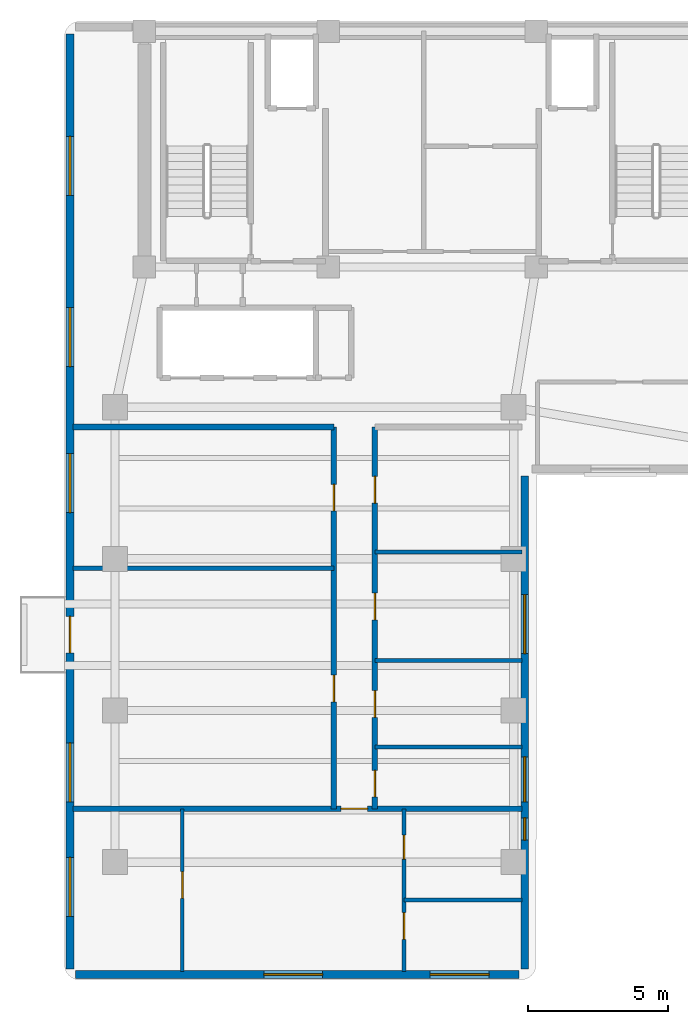
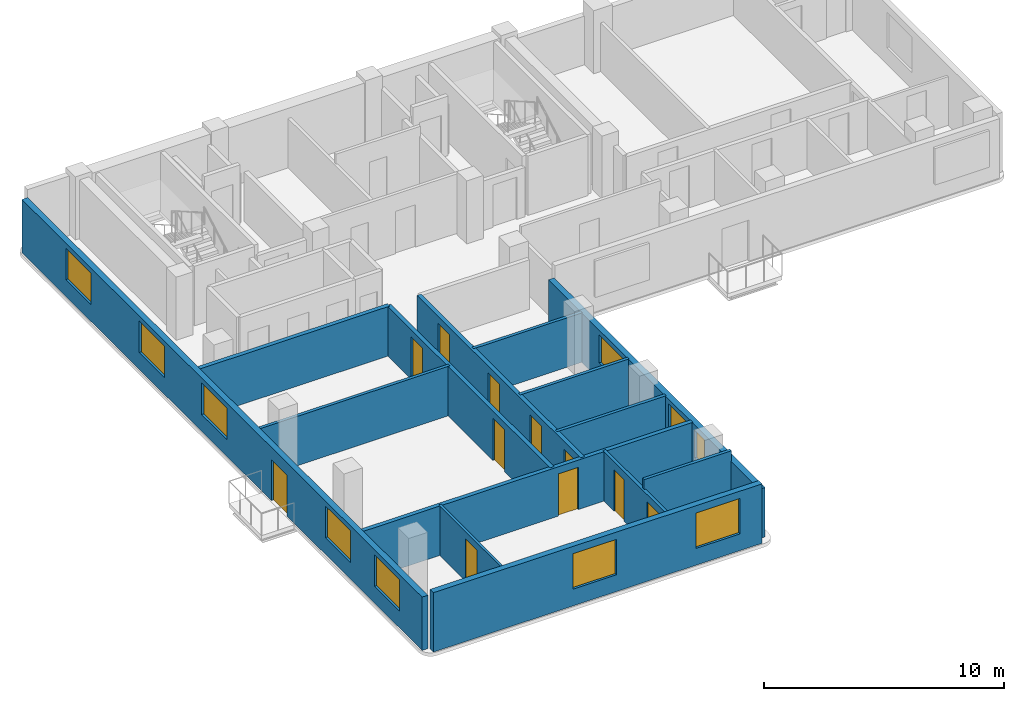
# One storey, part 2 of 7: 14 walls, 11 doors, 10 windows, 21 openings.
"""IFC4 building model written with IfcOpenShell, lengths in metres."""

from ifc_helpers import new_model, si_unit, direction, frame, frame_2d, origin, place, context, subcontext, project, spatial, rectangle, extrude, material, layer, layer_set, type_object, element, fill, save


model = new_model("IFC4")

# Units and contexts
model_context = context("Model", 3, precision=1e-05, world=origin(), true_north=direction((0.0, 1.0)))
body_context = subcontext(model_context, "Body", "Model", "MODEL_VIEW")
ifc_project = project(units=[si_unit("LENGTHUNIT", "METRE"), si_unit("AREAUNIT", "SQUARE_METRE"), si_unit("VOLUMEUNIT", "CUBIC_METRE"), si_unit("PLANEANGLEUNIT", "RADIAN"), si_unit("MASSUNIT", "GRAM", prefix="KILO")], contexts=[model_context])

# Site, building, storey
site_placement = place(None, origin())
site = spatial("IfcSite", under=ifc_project, at=site_placement, CompositionType="ELEMENT")
building_placement = place(site_placement, origin())
building = spatial("IfcBuilding", under=site, at=building_placement, Name="Kuzgunbayir Cultural Tower", CompositionType="ELEMENT")
storey_placement = place(building_placement, frame((0.0, 0.0, 201.60009765625)))
storey = spatial("IfcBuildingStorey", under=building, at=storey_placement, Name="L59", CompositionType="ELEMENT", Elevation=201.60009765625)

# Wall, openings, windows
ifc_material_1 = material(Name="Anatolian Cream Limestone", Category="masonry")
ifc_layer_1 = layer(ifc_material_1, 0.280029296875)
ifc_layer_set_1 = layer_set([ifc_layer_1], Name="Anatolian Cream Limestone")
wall_type_1 = type_object("IfcWallType", Name="WAL-EXT-STONE-280", PredefinedType="STANDARD", material=ifc_layer_set_1)
wall_1_placement = place(storey_placement, frame((4.0, 8.60009765625, 0.0), z_axis=(0.0, 0.0, 1.0), x_axis=(1.0, 0.0, 0.0)))
wall_1 = element("IfcWall", 1, at=wall_1_placement, inside=storey, type_object=wall_type_1, Name="L59 Wing A South Limestone Wall", PredefinedType="STANDARD", context=body_context, shape_type="SweptSolid", body=[
    extrude(rectangle(XDim=15.800048828125, YDim=0.280029296875, at=frame_2d((7.89990234375, 0.0))), origin(), (0.0, 0.0, 1.0), 3.02001953125),
])
opening_1_placement = place(wall_1_placement, frame((6.699951171875, 0.0, 0.85009765625)))
opening_1 = element("IfcOpeningElement", 2, at=opening_1_placement, cuts=wall_1, Name="Opening WR-21", PredefinedType="OPENING", context=body_context, shape_type="SweptSolid", body=[
    extrude(rectangle(XDim=2.10009765625, YDim=1.800048828125, at=frame_2d((1.050048828125, 0.89990234375))), frame((0.0, 0.14990234375, 0.0), z_axis=(0.0, -1.0, 0.0), x_axis=(1.0, 0.0, 0.0)), (0.0, 0.0, 1.0), 0.300048828125),
])
opening_2_placement = place(wall_1_placement, frame((12.6298828125, 0.0, 0.85009765625)))
opening_2 = element("IfcOpeningElement", 3, at=opening_2_placement, cuts=wall_1, Name="Opening WR-21", PredefinedType="OPENING", context=body_context, shape_type="SweptSolid", body=[
    extrude(rectangle(XDim=2.10009765625, YDim=1.800048828125, at=frame_2d((1.050048828125, 0.89990234375))), frame((0.0, 0.14990234375, 0.0), z_axis=(0.0, -1.0, 0.0), x_axis=(1.0, 0.0, 0.0)), (0.0, 0.0, 1.0), 0.300048828125),
])
ifc_material_2 = material(Name="Solar-Control Triple Glazing", Category="glass")
window_type_1 = type_object("IfcWindowType", Name="WIN-RESID-21", PartitioningType="SINGLE_PANEL", PredefinedType="WINDOW", material=ifc_material_2)
window_1_placement = place(opening_1_placement, origin())
window_1 = element("IfcWindow", 4, at=window_1_placement, inside=storey, type_object=window_type_1, Name="L59 WAS Facade Window 2", OverallHeight=1.800048828125, OverallWidth=2.10009765625, PartitioningType="SINGLE_PANEL", PredefinedType="WINDOW", context=body_context, shape_type="SweptSolid", body=[
    extrude(rectangle(XDim=2.10009765625, YDim=1.800048828125, at=frame_2d((1.050048828125, 0.89990234375))), frame((0.0, 0.030029296875, 0.0), z_axis=(0.0, -1.0, 0.0), x_axis=(1.0, 0.0, 0.0)), (0.0, 0.0, 1.0), 0.06005859375),
])
fill(opening_1, window_1)
window_2_placement = place(opening_2_placement, origin())
window_2 = element("IfcWindow", 5, at=window_2_placement, inside=storey, type_object=window_type_1, Name="L59 WAS Facade Window 3", OverallHeight=1.800048828125, OverallWidth=2.10009765625, PartitioningType="SINGLE_PANEL", PredefinedType="WINDOW", context=body_context, shape_type="SweptSolid", body=[
    extrude(rectangle(XDim=2.10009765625, YDim=1.800048828125, at=frame_2d((1.050048828125, 0.89990234375))), frame((0.0, 0.030029296875, 0.0), z_axis=(0.0, -1.0, 0.0), x_axis=(1.0, 0.0, 0.0)), (0.0, 0.0, 1.0), 0.06005859375),
])
fill(opening_2, window_2)

# Wall, openings, door, windows
wall_2_placement = place(storey_placement, frame((3.800048828125, 42.10009765625, 0.0), z_axis=(0.0, 0.0, 1.0), x_axis=(0.0, -1.0, 0.0)))
wall_2 = element("IfcWall", 6, at=wall_2_placement, inside=storey, type_object=wall_type_1, Name="L59 Wing A West Limestone Wall", PredefinedType="STANDARD", context=body_context, shape_type="SweptSolid", body=[
    extrude(rectangle(XDim=33.300048828125, YDim=0.280029296875, at=frame_2d((16.64990234375, 0.0))), origin(), (0.0, 0.0, 1.0), 2.7099609375),
])
opening_3_placement = place(wall_2_placement, frame((20.75, 0.0, 0.0)))
opening_3 = element("IfcOpeningElement", 7, at=opening_3_placement, cuts=wall_2, Name="Opening BD-13", PredefinedType="OPENING", context=body_context, shape_type="SweptSolid", body=[
    extrude(rectangle(XDim=1.300048828125, YDim=2.080078125, at=frame_2d((0.64990234375, 1.0400390625))), frame((0.0, 0.14990234375, 0.0), z_axis=(0.0, -1.0, 0.0), x_axis=(1.0, 0.0, 0.0)), (0.0, 0.0, 1.0), 0.300048828125),
])
opening_4_placement = place(wall_2_placement, frame((29.330078125, 0.0, 0.85009765625)))
opening_4 = element("IfcOpeningElement", 8, at=opening_4_placement, cuts=wall_2, Name="Opening WR-21", PredefinedType="OPENING", context=body_context, shape_type="SweptSolid", body=[
    extrude(rectangle(XDim=2.10009765625, YDim=1.610107421875, at=frame_2d((1.050048828125, 0.80517578125))), frame((0.0, 0.14990234375, 0.0), z_axis=(0.0, -1.0, 0.0), x_axis=(1.0, 0.0, 0.0)), (0.0, 0.0, 1.0), 0.300048828125),
])
opening_5_placement = place(wall_2_placement, frame((25.25, 0.0, 0.85009765625)))
opening_5 = element("IfcOpeningElement", 9, at=opening_5_placement, cuts=wall_2, Name="Opening WR-21", PredefinedType="OPENING", context=body_context, shape_type="SweptSolid", body=[
    extrude(rectangle(XDim=2.10009765625, YDim=1.610107421875, at=frame_2d((1.050048828125, 0.80517578125))), frame((0.0, 0.14990234375, 0.0), z_axis=(0.0, -1.0, 0.0), x_axis=(1.0, 0.0, 0.0)), (0.0, 0.0, 1.0), 0.300048828125),
])
opening_6_placement = place(wall_2_placement, frame((14.949951171875, 0.0, 0.85009765625)))
opening_6 = element("IfcOpeningElement", 10, at=opening_6_placement, cuts=wall_2, Name="Opening WR-21", PredefinedType="OPENING", context=body_context, shape_type="SweptSolid", body=[
    extrude(rectangle(XDim=2.10009765625, YDim=1.610107421875, at=frame_2d((1.050048828125, 0.80517578125))), frame((0.0, 0.14990234375, 0.0), z_axis=(0.0, -1.0, 0.0), x_axis=(1.0, 0.0, 0.0)), (0.0, 0.0, 1.0), 0.300048828125),
])
opening_7_placement = place(wall_2_placement, frame((9.75, 0.0, 0.85009765625)))
opening_7 = element("IfcOpeningElement", 11, at=opening_7_placement, cuts=wall_2, Name="Opening WR-21", PredefinedType="OPENING", context=body_context, shape_type="SweptSolid", body=[
    extrude(rectangle(XDim=2.10009765625, YDim=1.610107421875, at=frame_2d((1.050048828125, 0.80517578125))), frame((0.0, 0.14990234375, 0.0), z_axis=(0.0, -1.0, 0.0), x_axis=(1.0, 0.0, 0.0)), (0.0, 0.0, 1.0), 0.300048828125),
])
opening_8_placement = place(wall_2_placement, frame((3.64990234375, 0.0, 0.85009765625)))
opening_8 = element("IfcOpeningElement", 12, at=opening_8_placement, cuts=wall_2, Name="Opening WR-21", PredefinedType="OPENING", context=body_context, shape_type="SweptSolid", body=[
    extrude(rectangle(XDim=2.10009765625, YDim=1.610107421875, at=frame_2d((1.050048828125, 0.80517578125))), frame((0.0, 0.14990234375, 0.0), z_axis=(0.0, -1.0, 0.0), x_axis=(1.0, 0.0, 0.0)), (0.0, 0.0, 1.0), 0.300048828125),
])
ifc_material_3 = material(Name="Thermally Broken Glazed Aluminium", Category="aluminium")
door_type_1 = type_object("IfcDoorType", Name="DR-BALCONY-135", OperationType="SLIDING_TO_LEFT", PredefinedType="DOOR", material=ifc_material_3)
door_1_placement = place(opening_3_placement, origin())
door_1 = element("IfcDoor", 13, at=door_1_placement, inside=storey, type_object=door_type_1, Name="L59 West Balcony Sliding Door BAL-L59-WA2", OperationType="SLIDING_TO_LEFT", OverallHeight=2.080078125, OverallWidth=1.300048828125, PredefinedType="DOOR", context=body_context, shape_type="SweptSolid", body=[
    extrude(rectangle(XDim=1.300048828125, YDim=2.080078125, at=frame_2d((0.64990234375, 1.0400390625))), frame((0.0, 0.02490234375, 0.0), z_axis=(0.0, -1.0, 0.0), x_axis=(1.0, 0.0, 0.0)), (0.0, 0.0, 1.0), 0.050048828125),
])
fill(opening_3, door_1)
window_3_placement = place(opening_4_placement, origin())
window_3 = element("IfcWindow", 14, at=window_3_placement, inside=storey, type_object=window_type_1, Name="L59 WAW Facade Window 1", OverallHeight=1.610107421875, OverallWidth=2.10009765625, PartitioningType="SINGLE_PANEL", PredefinedType="WINDOW", context=body_context, shape_type="SweptSolid", body=[
    extrude(rectangle(XDim=2.10009765625, YDim=1.610107421875, at=frame_2d((1.050048828125, 0.80517578125))), frame((0.0, 0.030029296875, 0.0), z_axis=(0.0, -1.0, 0.0), x_axis=(1.0, 0.0, 0.0)), (0.0, 0.0, 1.0), 0.06005859375),
])
fill(opening_4, window_3)
window_4_placement = place(opening_5_placement, origin())
window_4 = element("IfcWindow", 15, at=window_4_placement, inside=storey, type_object=window_type_1, Name="L59 WAW Facade Window 9", OverallHeight=1.610107421875, OverallWidth=2.10009765625, PartitioningType="SINGLE_PANEL", PredefinedType="WINDOW", context=body_context, shape_type="SweptSolid", body=[
    extrude(rectangle(XDim=2.10009765625, YDim=1.610107421875, at=frame_2d((1.050048828125, 0.80517578125))), frame((0.0, 0.030029296875, 0.0), z_axis=(0.0, -1.0, 0.0), x_axis=(1.0, 0.0, 0.0)), (0.0, 0.0, 1.0), 0.06005859375),
])
fill(opening_5, window_4)
window_5_placement = place(opening_6_placement, origin())
window_5 = element("IfcWindow", 16, at=window_5_placement, inside=storey, type_object=window_type_1, Name="L59 WAW Facade Window 10", OverallHeight=1.610107421875, OverallWidth=2.10009765625, PartitioningType="SINGLE_PANEL", PredefinedType="WINDOW", context=body_context, shape_type="SweptSolid", body=[
    extrude(rectangle(XDim=2.10009765625, YDim=1.610107421875, at=frame_2d((1.050048828125, 0.80517578125))), frame((0.0, 0.030029296875, 0.0), z_axis=(0.0, -1.0, 0.0), x_axis=(1.0, 0.0, 0.0)), (0.0, 0.0, 1.0), 0.06005859375),
])
fill(opening_6, window_5)
window_6_placement = place(opening_7_placement, origin())
window_6 = element("IfcWindow", 17, at=window_6_placement, inside=storey, type_object=window_type_1, Name="L59 WAW Facade Window 11", OverallHeight=1.610107421875, OverallWidth=2.10009765625, PartitioningType="SINGLE_PANEL", PredefinedType="WINDOW", context=body_context, shape_type="SweptSolid", body=[
    extrude(rectangle(XDim=2.10009765625, YDim=1.610107421875, at=frame_2d((1.050048828125, 0.80517578125))), frame((0.0, 0.030029296875, 0.0), z_axis=(0.0, -1.0, 0.0), x_axis=(1.0, 0.0, 0.0)), (0.0, 0.0, 1.0), 0.06005859375),
])
fill(opening_7, window_6)
window_7_placement = place(opening_8_placement, origin())
window_7 = element("IfcWindow", 18, at=window_7_placement, inside=storey, type_object=window_type_1, Name="L59 WAW Facade Window 12", OverallHeight=1.610107421875, OverallWidth=2.10009765625, PartitioningType="SINGLE_PANEL", PredefinedType="WINDOW", context=body_context, shape_type="SweptSolid", body=[
    extrude(rectangle(XDim=2.10009765625, YDim=1.610107421875, at=frame_2d((1.050048828125, 0.80517578125))), frame((0.0, 0.030029296875, 0.0), z_axis=(0.0, -1.0, 0.0), x_axis=(1.0, 0.0, 0.0)), (0.0, 0.0, 1.0), 0.06005859375),
])
fill(opening_8, window_7)

# Wall, openings, windows
wall_3_placement = place(storey_placement, frame((20.0, 8.800048828125, 0.0), z_axis=(0.0, 0.0, 1.0), x_axis=(0.0, 1.0, 0.0)))
wall_3 = element("IfcWall", 19, at=wall_3_placement, inside=storey, type_object=wall_type_1, Name="L59 Wing A East Limestone Wall", PredefinedType="STANDARD", context=body_context, shape_type="SweptSolid", body=[
    extrude(rectangle(XDim=17.550048828125, YDim=0.280029296875, at=frame_2d((8.77490234375, 0.0))), origin(), (0.0, 0.0, 1.0), 2.510009765625),
])
opening_9_placement = place(wall_3_placement, frame((4.580078125, 0.0, 0.85009765625)))
opening_9 = element("IfcOpeningElement", 20, at=opening_9_placement, cuts=wall_3, Name="Opening WN-08", PredefinedType="OPENING", context=body_context, shape_type="SweptSolid", body=[
    extrude(rectangle(XDim=0.800048828125, YDim=1.409912109375, at=frame_2d((0.39990234375, 0.705078125))), frame((0.0, 0.14990234375, 0.0), z_axis=(0.0, -1.0, 0.0), x_axis=(1.0, 0.0, 0.0)), (0.0, 0.0, 1.0), 0.300048828125),
])
opening_10_placement = place(wall_3_placement, frame((5.949951171875, 0.0, 0.85009765625)))
opening_10 = element("IfcOpeningElement", 21, at=opening_10_placement, cuts=wall_3, Name="Opening WC-16", PredefinedType="OPENING", context=body_context, shape_type="SweptSolid", body=[
    extrude(rectangle(XDim=1.60009765625, YDim=1.409912109375, at=frame_2d((0.800048828125, 0.705078125))), frame((0.0, 0.14990234375, 0.0), z_axis=(0.0, -1.0, 0.0), x_axis=(1.0, 0.0, 0.0)), (0.0, 0.0, 1.0), 0.300048828125),
])
opening_11_placement = place(wall_3_placement, frame((11.22998046875, 0.0, 0.85009765625)))
opening_11 = element("IfcOpeningElement", 22, at=opening_11_placement, cuts=wall_3, Name="Opening WR-21", PredefinedType="OPENING", context=body_context, shape_type="SweptSolid", body=[
    extrude(rectangle(XDim=2.10009765625, YDim=1.409912109375, at=frame_2d((1.050048828125, 0.705078125))), frame((0.0, 0.14990234375, 0.0), z_axis=(0.0, -1.0, 0.0), x_axis=(1.0, 0.0, 0.0)), (0.0, 0.0, 1.0), 0.300048828125),
])
window_type_2 = type_object("IfcWindowType", Name="WIN-COMP-16", PartitioningType="SINGLE_PANEL", PredefinedType="WINDOW", material=ifc_material_2)
window_8_placement = place(opening_10_placement, origin())
window_8 = element("IfcWindow", 23, at=window_8_placement, inside=storey, type_object=window_type_2, Name="L59 WAE Facade Window 13", OverallHeight=1.409912109375, OverallWidth=1.60009765625, PartitioningType="SINGLE_PANEL", PredefinedType="WINDOW", context=body_context, shape_type="SweptSolid", body=[
    extrude(rectangle(XDim=1.60009765625, YDim=1.409912109375, at=frame_2d((0.800048828125, 0.705078125))), frame((0.0, 0.030029296875, 0.0), z_axis=(0.0, -1.0, 0.0), x_axis=(1.0, 0.0, 0.0)), (0.0, 0.0, 1.0), 0.06005859375),
])
fill(opening_10, window_8)
window_type_3 = type_object("IfcWindowType", Name="WIN-NARROW-80", PartitioningType="SINGLE_PANEL", PredefinedType="WINDOW", material=ifc_material_2)
window_9_placement = place(opening_9_placement, origin())
window_9 = element("IfcWindow", 24, at=window_9_placement, inside=storey, type_object=window_type_3, Name="L59 WAE Facade Window 4", OverallHeight=1.409912109375, OverallWidth=0.800048828125, PartitioningType="SINGLE_PANEL", PredefinedType="WINDOW", context=body_context, shape_type="SweptSolid", body=[
    extrude(rectangle(XDim=0.800048828125, YDim=1.409912109375, at=frame_2d((0.39990234375, 0.705078125))), frame((0.0, 0.030029296875, 0.0), z_axis=(0.0, -1.0, 0.0), x_axis=(1.0, 0.0, 0.0)), (0.0, 0.0, 1.0), 0.06005859375),
])
fill(opening_9, window_9)
window_10_placement = place(opening_11_placement, origin())
window_10 = element("IfcWindow", 25, at=window_10_placement, inside=storey, type_object=window_type_1, Name="L59 WAE Facade Window 14", OverallHeight=1.409912109375, OverallWidth=2.10009765625, PartitioningType="SINGLE_PANEL", PredefinedType="WINDOW", context=body_context, shape_type="SweptSolid", body=[
    extrude(rectangle(XDim=2.10009765625, YDim=1.409912109375, at=frame_2d((1.050048828125, 0.705078125))), frame((0.0, 0.030029296875, 0.0), z_axis=(0.0, -1.0, 0.0), x_axis=(1.0, 0.0, 0.0)), (0.0, 0.0, 1.0), 0.06005859375),
])
fill(opening_11, window_10)

# Walls
ifc_material_4 = material(Name="Acoustic Double-Stud Drywall", Category="gypsum")
ifc_layer_2 = layer(ifc_material_4, 0.14990234375)
ifc_layer_set_2 = layer_set([ifc_layer_2], Name="Acoustic Double-Stud Drywall")
wall_type_2 = type_object("IfcWallType", Name="WAL-PART-ACOUSTIC-150", PredefinedType="PARTITIONING", material=ifc_layer_set_2)
wall_4_placement = place(storey_placement, frame((3.89990234375, 23.070068359375, 0.0), z_axis=(0.0, 0.0, 1.0), x_axis=(1.0, 0.0, 0.0)))
element("IfcWall", 26, at=wall_4_placement, inside=storey, type_object=wall_type_2, Name="L59 West Study Partition 1", PredefinedType="PARTITIONING", context=body_context, shape_type="SweptSolid", body=[
    extrude(rectangle(XDim=9.300048828125, YDim=0.14990234375, at=frame_2d((4.64990234375, 0.0))), origin(), (0.0, 0.0, 1.0), 2.510009765625),
])
for number, where, z_axis, x_axis, name in (
    (27, (14.659912109375, 19.780029296875, 0.0), (0.0, 0.0, 1.0), (1.0, 0.0, 0.0), "L59 East Divider 1"),
    (28, (14.659912109375, 23.64990234375, 0.0), (0.0, 0.0, 1.0), (1.0, 0.0, 0.0), "L59 East Divider 2"),
):
    element("IfcWall", number, at=place(storey_placement, frame(where, z_axis=z_axis, x_axis=x_axis)), inside=storey, type_object=wall_type_2, Name=name, PredefinedType="PARTITIONING", context=body_context, shape_type="SweptSolid", body=[
        extrude(rectangle(XDim=5.239990234375, YDim=0.14990234375, at=frame_2d((2.6201171875, 0.0))), origin(), (0.0, 0.0, 1.0), 2.510009765625),
    ])

# Wall, openings, doors
ifc_material_5 = material(Name="Aerated Concrete Blockwork", Category="masonry")
ifc_layer_3 = layer(ifc_material_5, 0.199951171875)
ifc_layer_set_3 = layer_set([ifc_layer_3], Name="Aerated Concrete Blockwork")
wall_type_3 = type_object("IfcWallType", Name="WAL-PART-FIRE-200", PredefinedType="PARTITIONING", material=ifc_layer_set_3)
wall_5_placement = place(storey_placement, frame((13.199951171875, 14.5, 0.0), z_axis=(0.0, 0.0, 1.0), x_axis=(0.0, 1.0, 0.0)))
wall_5 = element("IfcWall", 29, at=wall_5_placement, inside=storey, type_object=wall_type_3, Name="L59 Wing A West Corridor Wall", PredefinedType="PARTITIONING", context=body_context, shape_type="SweptSolid", body=[
    extrude(rectangle(XDim=13.60009765625, YDim=0.199951171875, at=frame_2d((6.800048828125, 0.0))), origin(), (0.0, 0.0, 1.0), 2.510009765625),
])
opening_12_placement = place(wall_5_placement, frame((3.81005859375, 0.0, 0.0)))
opening_12 = element("IfcOpeningElement", 30, at=opening_12_placement, cuts=wall_5, Name="Opening DI-90", PredefinedType="OPENING", context=body_context, shape_type="SweptSolid", body=[
    extrude(rectangle(XDim=0.949951171875, YDim=2.14990234375, at=frame_2d((0.47509765625, 1.074951171875))), frame((0.0, 0.10986328125, 0.0), z_axis=(0.0, -1.0, 0.0), x_axis=(1.0, 0.0, 0.0)), (0.0, 0.0, 1.0), 0.219970703125),
])
opening_13_placement = place(wall_5_placement, frame((10.610107421875, 0.0, 0.0)))
opening_13 = element("IfcOpeningElement", 31, at=opening_13_placement, cuts=wall_5, Name="Opening DI-90", PredefinedType="OPENING", context=body_context, shape_type="SweptSolid", body=[
    extrude(rectangle(XDim=0.949951171875, YDim=2.14990234375, at=frame_2d((0.47509765625, 1.074951171875))), frame((0.0, 0.10986328125, 0.0), z_axis=(0.0, -1.0, 0.0), x_axis=(1.0, 0.0, 0.0)), (0.0, 0.0, 1.0), 0.219970703125),
])
ifc_material_6 = material(Name="Veneered Oak Single Leaf", Category="wood")
door_type_2 = type_object("IfcDoorType", Name="DR-INT-90", OperationType="NOTDEFINED", PredefinedType="DOOR", material=ifc_material_6)
door_2_placement = place(opening_12_placement, origin())
door_2 = element("IfcDoor", 32, at=door_2_placement, inside=storey, type_object=door_type_2, Name="L59 Fellows Reading Lounge W1 Door", OperationType="SINGLE_SWING_LEFT", OverallHeight=2.14990234375, OverallWidth=0.949951171875, PredefinedType="DOOR", context=body_context, shape_type="SweptSolid", body=[
    extrude(rectangle(XDim=0.949951171875, YDim=2.14990234375, at=frame_2d((0.47509765625, 1.074951171875))), frame((0.0, 0.02490234375, 0.0), z_axis=(0.0, -1.0, 0.0), x_axis=(1.0, 0.0, 0.0)), (0.0, 0.0, 1.0), 0.050048828125),
])
fill(opening_12, door_2)
door_3_placement = place(opening_13_placement, origin())
door_3 = element("IfcDoor", 33, at=door_3_placement, inside=storey, type_object=door_type_2, Name="L59 Seminar Boardroom W2 Door", OperationType="SINGLE_SWING_RIGHT", OverallHeight=2.14990234375, OverallWidth=0.949951171875, PredefinedType="DOOR", context=body_context, shape_type="SweptSolid", body=[
    extrude(rectangle(XDim=0.949951171875, YDim=2.14990234375, at=frame_2d((0.47509765625, 1.074951171875))), frame((0.0, 0.02490234375, 0.0), z_axis=(0.0, -1.0, 0.0), x_axis=(1.0, 0.0, 0.0)), (0.0, 0.0, 1.0), 0.050048828125),
])
fill(opening_13, door_3)

wall_6_placement = place(storey_placement, frame((14.659912109375, 14.5, 0.0), z_axis=(0.0, 0.0, 1.0), x_axis=(0.0, 1.0, 0.0)))
wall_6 = element("IfcWall", 34, at=wall_6_placement, inside=storey, type_object=wall_type_3, Name="L59 Wing A East Corridor Wall", PredefinedType="PARTITIONING", context=body_context, shape_type="SweptSolid", body=[
    extrude(rectangle(XDim=13.60009765625, YDim=0.199951171875, at=frame_2d((6.800048828125, 0.0))), origin(), (0.0, 0.0, 1.0), 2.510009765625),
])
opening_14_placement = place(wall_6_placement, frame((0.419921875, 0.0, 0.0)))
opening_14 = element("IfcOpeningElement", 35, at=opening_14_placement, cuts=wall_6, Name="Opening DW-95", PredefinedType="OPENING", context=body_context, shape_type="SweptSolid", body=[
    extrude(rectangle(XDim=0.949951171875, YDim=2.10009765625, at=frame_2d((0.47509765625, 1.050048828125))), frame((0.0, 0.10986328125, 0.0), z_axis=(0.0, -1.0, 0.0), x_axis=(1.0, 0.0, 0.0)), (0.0, 0.0, 1.0), 0.219970703125),
])
opening_15_placement = place(wall_6_placement, frame((3.260009765625, 0.0, 0.0)))
opening_15 = element("IfcOpeningElement", 36, at=opening_15_placement, cuts=wall_6, Name="Opening DI-90", PredefinedType="OPENING", context=body_context, shape_type="SweptSolid", body=[
    extrude(rectangle(XDim=0.949951171875, YDim=2.14990234375, at=frame_2d((0.47509765625, 1.074951171875))), frame((0.0, 0.10986328125, 0.0), z_axis=(0.0, -1.0, 0.0), x_axis=(1.0, 0.0, 0.0)), (0.0, 0.0, 1.0), 0.219970703125),
])
opening_16_placement = place(wall_6_placement, frame((6.72998046875, 0.0, 0.0)))
opening_16 = element("IfcOpeningElement", 37, at=opening_16_placement, cuts=wall_6, Name="Opening DI-90", PredefinedType="OPENING", context=body_context, shape_type="SweptSolid", body=[
    extrude(rectangle(XDim=0.949951171875, YDim=2.14990234375, at=frame_2d((0.47509765625, 1.074951171875))), frame((0.0, 0.10986328125, 0.0), z_axis=(0.0, -1.0, 0.0), x_axis=(1.0, 0.0, 0.0)), (0.0, 0.0, 1.0), 0.219970703125),
])
opening_17_placement = place(wall_6_placement, frame((10.889892578125, 0.0, 0.0)))
opening_17 = element("IfcOpeningElement", 38, at=opening_17_placement, cuts=wall_6, Name="Opening DI-90", PredefinedType="OPENING", context=body_context, shape_type="SweptSolid", body=[
    extrude(rectangle(XDim=0.949951171875, YDim=2.14990234375, at=frame_2d((0.47509765625, 1.074951171875))), frame((0.0, 0.10986328125, 0.0), z_axis=(0.0, -1.0, 0.0), x_axis=(1.0, 0.0, 0.0)), (0.0, 0.0, 1.0), 0.219970703125),
])
door_4_placement = place(opening_15_placement, origin())
door_4 = element("IfcDoor", 39, at=door_4_placement, inside=storey, type_object=door_type_2, Name="L59 East Fellows Reading Lounge E1 Door", OperationType="SINGLE_SWING_RIGHT", OverallHeight=2.14990234375, OverallWidth=0.949951171875, PredefinedType="DOOR", context=body_context, shape_type="SweptSolid", body=[
    extrude(rectangle(XDim=0.949951171875, YDim=2.14990234375, at=frame_2d((0.47509765625, 1.074951171875))), frame((0.0, 0.02490234375, 0.0), z_axis=(0.0, -1.0, 0.0), x_axis=(1.0, 0.0, 0.0)), (0.0, 0.0, 1.0), 0.050048828125),
])
fill(opening_15, door_4)
door_5_placement = place(opening_16_placement, origin())
door_5 = element("IfcDoor", 40, at=door_5_placement, inside=storey, type_object=door_type_2, Name="L59 East Culinary Tasting Pantry E2 Door", OperationType="SINGLE_SWING_LEFT", OverallHeight=2.14990234375, OverallWidth=0.949951171875, PredefinedType="DOOR", context=body_context, shape_type="SweptSolid", body=[
    extrude(rectangle(XDim=0.949951171875, YDim=2.14990234375, at=frame_2d((0.47509765625, 1.074951171875))), frame((0.0, 0.02490234375, 0.0), z_axis=(0.0, -1.0, 0.0), x_axis=(1.0, 0.0, 0.0)), (0.0, 0.0, 1.0), 0.050048828125),
])
fill(opening_16, door_5)
door_6_placement = place(opening_17_placement, origin())
door_6 = element("IfcDoor", 41, at=door_6_placement, inside=storey, type_object=door_type_2, Name="L59 East Fellows Reading Lounge E3 Door", OperationType="SINGLE_SWING_RIGHT", OverallHeight=2.14990234375, OverallWidth=0.949951171875, PredefinedType="DOOR", context=body_context, shape_type="SweptSolid", body=[
    extrude(rectangle(XDim=0.949951171875, YDim=2.14990234375, at=frame_2d((0.47509765625, 1.074951171875))), frame((0.0, 0.02490234375, 0.0), z_axis=(0.0, -1.0, 0.0), x_axis=(1.0, 0.0, 0.0)), (0.0, 0.0, 1.0), 0.050048828125),
])
fill(opening_17, door_6)
ifc_material_7 = material(Name="Laminate Moisture-Resistant Leaf", Category="wood")
door_type_3 = type_object("IfcDoorType", Name="DR-WET-95", OperationType="NOTDEFINED", PredefinedType="DOOR", material=ifc_material_7)
door_7_placement = place(opening_14_placement, origin())
door_7 = element("IfcDoor", 42, at=door_7_placement, inside=storey, type_object=door_type_3, Name="L59 Visitor Accessible WC Door", OperationType="SINGLE_SWING_LEFT", OverallHeight=2.10009765625, OverallWidth=0.949951171875, PredefinedType="DOOR", context=body_context, shape_type="SweptSolid", body=[
    extrude(rectangle(XDim=0.949951171875, YDim=2.10009765625, at=frame_2d((0.47509765625, 1.050048828125))), frame((0.0, 0.02490234375, 0.0), z_axis=(0.0, -1.0, 0.0), x_axis=(1.0, 0.0, 0.0)), (0.0, 0.0, 1.0), 0.050048828125),
])
fill(opening_14, door_7)

# Wall, opening, door
wall_7_placement = place(storey_placement, frame((3.89990234375, 14.5, 0.0), z_axis=(0.0, 0.0, 1.0), x_axis=(1.0, 0.0, 0.0)))
wall_7 = element("IfcWall", 43, at=wall_7_placement, inside=storey, type_object=wall_type_3, Name="L59 South Cross Partition", PredefinedType="PARTITIONING", context=body_context, shape_type="SweptSolid", body=[
    extrude(rectangle(XDim=16.0, YDim=0.199951171875, at=frame_2d((8.0, 0.0))), origin(), (0.0, 0.0, 1.0), 2.510009765625),
])
opening_18_placement = place(wall_7_placement, frame((9.550048828125, 0.0, 0.0)))
opening_18 = element("IfcOpeningElement", 44, at=opening_18_placement, cuts=wall_7, Name="Opening DR-APT-60", PredefinedType="OPENING", context=body_context, shape_type="SweptSolid", body=[
    extrude(rectangle(XDim=0.949951171875, YDim=2.14990234375, at=frame_2d((0.47509765625, 1.074951171875))), frame((0.0, 0.10986328125, 0.0), z_axis=(0.0, -1.0, 0.0), x_axis=(1.0, 0.0, 0.0)), (0.0, 0.0, 1.0), 0.219970703125),
])
ifc_material_8 = material(Name="Acoustic Fire Timber Leaf", Category="wood")
door_type_4 = type_object("IfcDoorType", Name="DR-APT-60", OperationType="NOTDEFINED", PredefinedType="DOOR", material=ifc_material_8)
door_8_placement = place(opening_18_placement, origin())
door_8 = element("IfcDoor", 45, at=door_8_placement, inside=storey, type_object=door_type_4, Name="L59 Apartment A Entrance", OperationType="SINGLE_SWING_LEFT", OverallHeight=2.14990234375, OverallWidth=0.949951171875, PredefinedType="DOOR", context=body_context, shape_type="SweptSolid", body=[
    extrude(rectangle(XDim=0.949951171875, YDim=2.14990234375, at=frame_2d((0.47509765625, 1.074951171875))), frame((0.0, 0.02490234375, 0.0), z_axis=(0.0, -1.0, 0.0), x_axis=(1.0, 0.0, 0.0)), (0.0, 0.0, 1.0), 0.050048828125),
])
fill(opening_18, door_8)

# Wall
wall_8_placement = place(storey_placement, frame((3.89990234375, 28.10009765625, 0.0), z_axis=(0.0, 0.0, 1.0), x_axis=(1.0, 0.0, 0.0)))
element("IfcWall", 46, at=wall_8_placement, inside=storey, type_object=wall_type_3, Name="L59 North West Partition", PredefinedType="PARTITIONING", context=body_context, shape_type="SweptSolid", body=[
    extrude(rectangle(XDim=9.300048828125, YDim=0.199951171875, at=frame_2d((4.64990234375, 0.0))), origin(), (0.0, 0.0, 1.0), 2.510009765625),
])

# Wall, opening, door
ifc_material_9 = material(Name="Framed Gypsum Partition", Category="gypsum")
ifc_layer_4 = layer(ifc_material_9, 0.1201171875)
ifc_layer_set_4 = layer_set([ifc_layer_4], Name="Framed Gypsum Partition")
wall_type_4 = type_object("IfcWallType", Name="WAL-PART-INT-120", PredefinedType="PARTITIONING", material=ifc_layer_set_4)
wall_9_placement = place(storey_placement, frame((7.800048828125, 8.699951171875, 0.0), z_axis=(0.0, 0.0, 1.0), x_axis=(0.0, 1.0, 0.0)))
wall_9 = element("IfcWall", 47, at=wall_9_placement, inside=storey, type_object=wall_type_4, Name="L59 Flat A West Bedroom Wall", PredefinedType="PARTITIONING", context=body_context, shape_type="SweptSolid", body=[
    extrude(rectangle(XDim=5.800048828125, YDim=0.1201171875, at=frame_2d((2.89990234375, 0.0))), origin(), (0.0, 0.0, 1.0), 2.510009765625),
])
opening_19_placement = place(wall_9_placement, frame((2.610107421875, 0.0, 0.0)))
opening_19 = element("IfcOpeningElement", 48, at=opening_19_placement, cuts=wall_9, Name="Opening DI-90", PredefinedType="OPENING", context=body_context, shape_type="SweptSolid", body=[
    extrude(rectangle(XDim=0.949951171875, YDim=2.14990234375, at=frame_2d((0.47509765625, 1.074951171875))), frame((0.0, 0.070068359375, 0.0), z_axis=(0.0, -1.0, 0.0), x_axis=(1.0, 0.0, 0.0)), (0.0, 0.0, 1.0), 0.14013671875),
])
door_9_placement = place(opening_19_placement, origin())
door_9 = element("IfcDoor", 49, at=door_9_placement, inside=storey, type_object=door_type_2, Name="L59 Apartment A Bedroom Door", OperationType="SINGLE_SWING_RIGHT", OverallHeight=2.14990234375, OverallWidth=0.949951171875, PredefinedType="DOOR", context=body_context, shape_type="SweptSolid", body=[
    extrude(rectangle(XDim=0.949951171875, YDim=2.14990234375, at=frame_2d((0.47509765625, 1.074951171875))), frame((0.0, 0.02490234375, 0.0), z_axis=(0.0, -1.0, 0.0), x_axis=(1.0, 0.0, 0.0)), (0.0, 0.0, 1.0), 0.050048828125),
])
fill(opening_19, door_9)

# Wall, openings, doors
ifc_material_10 = material(Name="Moisture-Resistant Tile Partition", Category="gypsum")
ifc_layer_5 = layer(ifc_material_10, 0.14990234375)
ifc_layer_set_5 = layer_set([ifc_layer_5], Name="Moisture-Resistant Tile Partition")
wall_type_5 = type_object("IfcWallType", Name="WAL-PART-WET-150", PredefinedType="PARTITIONING", material=ifc_layer_set_5)
wall_10_placement = place(storey_placement, frame((15.699951171875, 8.699951171875, 0.0), z_axis=(0.0, 0.0, 1.0), x_axis=(0.0, 1.0, 0.0)))
wall_10 = element("IfcWall", 50, at=wall_10_placement, inside=storey, type_object=wall_type_5, Name="L59 Flat A East Service Wall", PredefinedType="PARTITIONING", context=body_context, shape_type="SweptSolid", body=[
    extrude(rectangle(XDim=5.800048828125, YDim=0.14990234375, at=frame_2d((2.89990234375, 0.0))), origin(), (0.0, 0.0, 1.0), 2.510009765625),
])
opening_20_placement = place(wall_10_placement, frame((1.14990234375, 0.0, 0.0)))
opening_20 = element("IfcOpeningElement", 51, at=opening_20_placement, cuts=wall_10, Name="Opening DI-90", PredefinedType="OPENING", context=body_context, shape_type="SweptSolid", body=[
    extrude(rectangle(XDim=0.949951171875, YDim=2.14990234375, at=frame_2d((0.47509765625, 1.074951171875))), frame((0.0, 0.0849609375, 0.0), z_axis=(0.0, -1.0, 0.0), x_axis=(1.0, 0.0, 0.0)), (0.0, 0.0, 1.0), 0.169921875),
])
opening_21_placement = place(wall_10_placement, frame((4.010009765625, 0.0, 0.0)))
opening_21 = element("IfcOpeningElement", 52, at=opening_21_placement, cuts=wall_10, Name="Opening DW-85", PredefinedType="OPENING", context=body_context, shape_type="SweptSolid", body=[
    extrude(rectangle(XDim=0.85009765625, YDim=2.10009765625, at=frame_2d((0.425048828125, 1.050048828125))), frame((0.0, 0.0849609375, 0.0), z_axis=(0.0, -1.0, 0.0), x_axis=(1.0, 0.0, 0.0)), (0.0, 0.0, 1.0), 0.169921875),
])
door_10_placement = place(opening_20_placement, origin())
door_10 = element("IfcDoor", 53, at=door_10_placement, inside=storey, type_object=door_type_2, Name="L59 Apartment A Kitchen Door", OperationType="SINGLE_SWING_LEFT", OverallHeight=2.14990234375, OverallWidth=0.949951171875, PredefinedType="DOOR", context=body_context, shape_type="SweptSolid", body=[
    extrude(rectangle(XDim=0.949951171875, YDim=2.14990234375, at=frame_2d((0.47509765625, 1.074951171875))), frame((0.0, 0.02490234375, 0.0), z_axis=(0.0, -1.0, 0.0), x_axis=(1.0, 0.0, 0.0)), (0.0, 0.0, 1.0), 0.050048828125),
])
fill(opening_20, door_10)
door_type_5 = type_object("IfcDoorType", Name="DR-WET-85", OperationType="NOTDEFINED", PredefinedType="DOOR", material=ifc_material_7)
door_11_placement = place(opening_21_placement, origin())
door_11 = element("IfcDoor", 54, at=door_11_placement, inside=storey, type_object=door_type_5, Name="L59 Apartment A Bathroom Door", OperationType="SINGLE_SWING_RIGHT", OverallHeight=2.10009765625, OverallWidth=0.85009765625, PredefinedType="DOOR", context=body_context, shape_type="SweptSolid", body=[
    extrude(rectangle(XDim=0.85009765625, YDim=2.10009765625, at=frame_2d((0.425048828125, 1.050048828125))), frame((0.0, 0.02490234375, 0.0), z_axis=(0.0, -1.0, 0.0), x_axis=(1.0, 0.0, 0.0)), (0.0, 0.0, 1.0), 0.050048828125),
])
fill(opening_21, door_11)

# Walls
wall_11_placement = place(storey_placement, frame((15.699951171875, 11.25, 0.0), z_axis=(0.0, 0.0, 1.0), x_axis=(1.0, 0.0, 0.0)))
element("IfcWall", 55, at=wall_11_placement, inside=storey, type_object=wall_type_5, Name="L59 Flat A Bath Kitchen Divider", PredefinedType="PARTITIONING", context=body_context, shape_type="SweptSolid", body=[
    extrude(rectangle(XDim=4.199951171875, YDim=0.14990234375, at=frame_2d((2.10009765625, 0.0))), origin(), (0.0, 0.0, 1.0), 3.02001953125),
])
wall_12_placement = place(storey_placement, frame((14.659912109375, 16.699951171875, 0.0), z_axis=(0.0, 0.0, 1.0), x_axis=(1.0, 0.0, 0.0)))
element("IfcWall", 56, at=wall_12_placement, inside=storey, type_object=wall_type_5, Name="L59 East Accessible WC Wall", PredefinedType="PARTITIONING", context=body_context, shape_type="SweptSolid", body=[
    extrude(rectangle(XDim=5.239990234375, YDim=0.14990234375, at=frame_2d((2.6201171875, 0.0))), origin(), (0.0, 0.0, 1.0), 2.510009765625),
])

save(model, "model.ifc")
